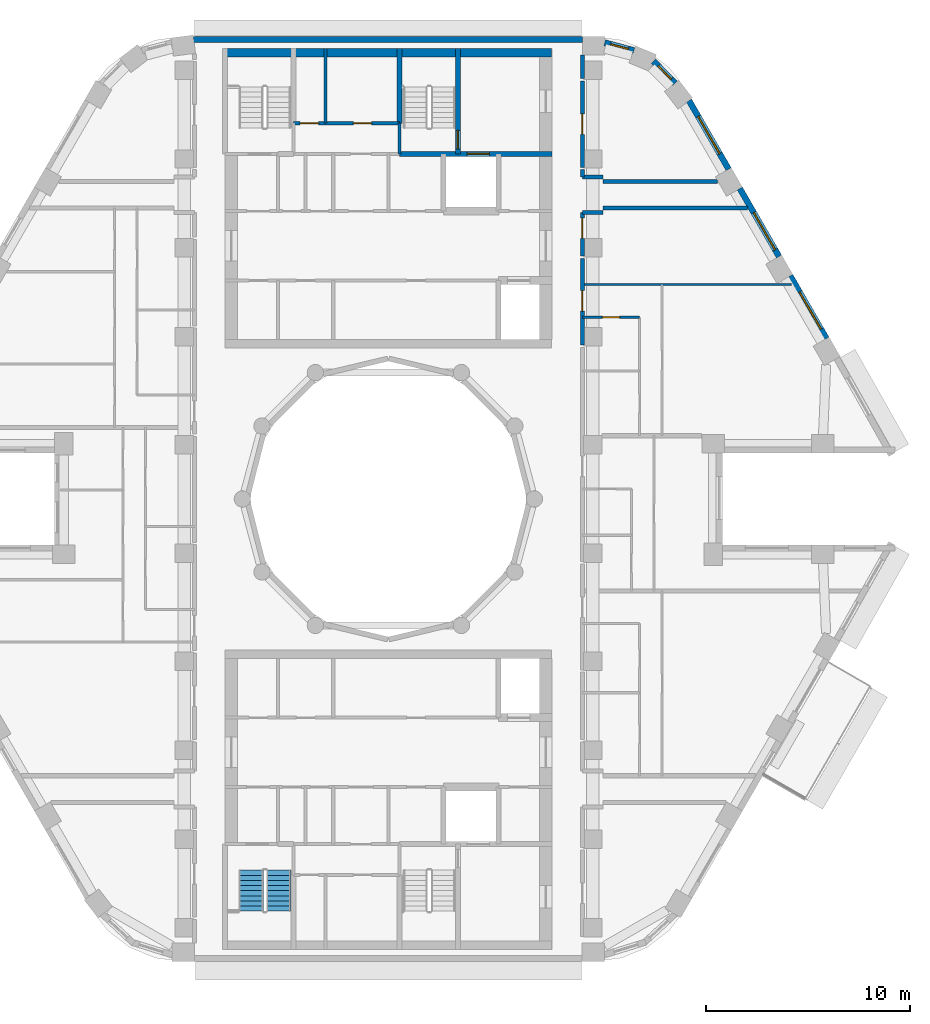
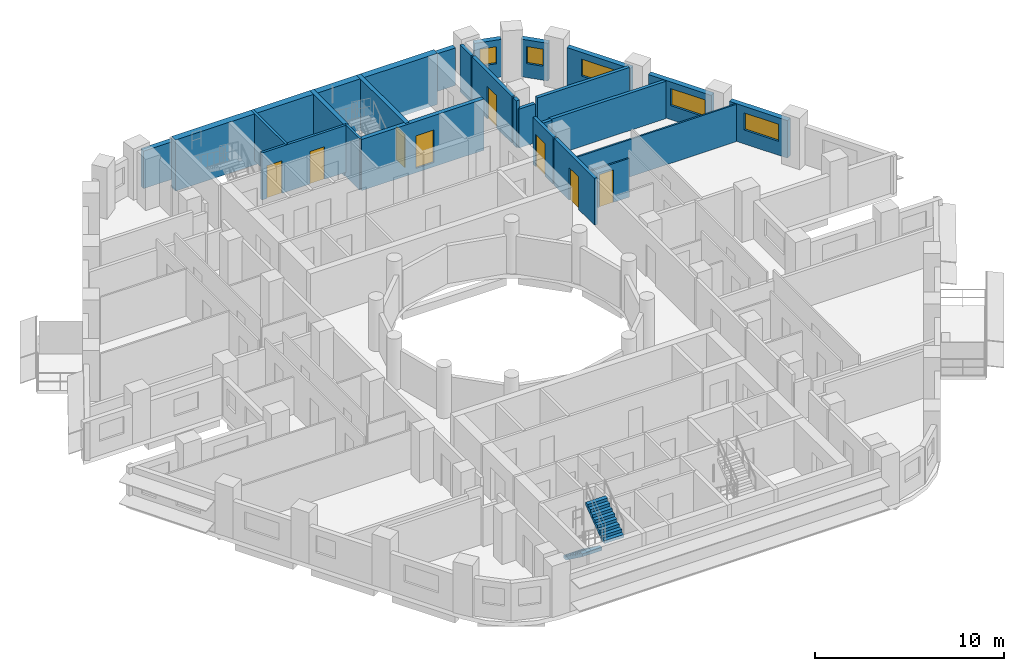
# One storey, part 8 of 14: 24 walls, 8 doors, 5 windows, 2 stair flights, 13 openings, 1 element without a shape of its own.
"""IFC4 building model written with IfcOpenShell, lengths in metres."""

from ifc_helpers import new_model, si_unit, direction, frame, frame_2d, origin, place, context, subcontext, project, spatial, polyline, rectangle, outline, extrude, material, layer, layer_set, type_object, element, fill, aggregate, save


model = new_model("IFC4")

# Units and contexts
model_context = context("Model", 3, precision=1e-05, world=origin(), true_north=direction((0.0, 1.0)))
body_context = subcontext(model_context, "Body", "Model", "MODEL_VIEW")
ifc_project = project(units=[si_unit("LENGTHUNIT", "METRE"), si_unit("AREAUNIT", "SQUARE_METRE"), si_unit("VOLUMEUNIT", "CUBIC_METRE"), si_unit("PLANEANGLEUNIT", "RADIAN"), si_unit("MASSUNIT", "GRAM", prefix="KILO")], contexts=[model_context])

# Site, building, storey
site_placement = place(None, origin())
site = spatial("IfcSite", under=ifc_project, at=site_placement, CompositionType="ELEMENT")
building_placement = place(site_placement, origin())
building = spatial("IfcBuilding", under=site, at=building_placement, Name="Nakaniwa Court", CompositionType="ELEMENT")
storey_placement = place(building_placement, frame((0.0, 0.0, 259.199951171875)))
storey = spatial("IfcBuildingStorey", under=building, at=storey_placement, Name="L68", CompositionType="ELEMENT", Elevation=259.199951171875)

# Wall, opening, door
ifc_material_1 = material(Name="Acoustic double stud partition")
ifc_layer_1 = layer(ifc_material_1, 0.199951171875)
ifc_layer_set_1 = layer_set([ifc_layer_1], Name="Acoustic double stud partition")
wall_type_1 = type_object("IfcWallType", Name="Acoustic double stud partition 200", PredefinedType="PARTITIONING", material=ifc_layer_set_1)
wall_1_placement = place(storey_placement, frame((89.5, 91.77294921875, 0.0), z_axis=(0.0, 0.0, 1.0), x_axis=(0.0, -1.0, 0.0)))
wall_1 = element("IfcWall", 1, at=wall_1_placement, inside=storey, type_object=wall_type_1, Name="Partition PW-063", PredefinedType="PARTITIONING", context=body_context, shape_type="SweptSolid", body=[
    extrude(rectangle(XDim=4.23583984375, YDim=0.199951171875, at=frame_2d((2.117919921875, 0.0))), origin(), (0.0, 0.0, 1.0), 3.025146484375),
])
opening_1_placement = place(wall_1_placement, frame((1.572998046875, 0.0, 0.0)))
opening_1 = element("IfcOpeningElement", 2, at=opening_1_placement, cuts=wall_1, Name="Opening D-01-03", PredefinedType="OPENING", context=body_context, shape_type="SweptSolid", body=[
    extrude(rectangle(XDim=1.0, YDim=2.10009765625, at=frame_2d((0.5, 1.050048828125))), frame((0.0, 0.10986328125, 0.0), z_axis=(0.0, -1.0, 0.0), x_axis=(1.0, 0.0, 0.0)), (0.0, 0.0, 1.0), 0.219970703125),
])
ifc_material_2 = material(Name="Solid core timber door set, black veneer", Category="wood")
door_type_1 = type_object("IfcDoorType", Name="Flat entrance door 1000", OperationType="NOTDEFINED", PredefinedType="DOOR", material=ifc_material_2)
door_1_placement = place(opening_1_placement, origin())
door_1 = element("IfcDoor", 3, at=door_1_placement, inside=storey, type_object=door_type_1, Name="Door D-01-03 L68-037", OperationType="SINGLE_SWING_RIGHT", OverallHeight=2.10009765625, OverallWidth=1.0, PredefinedType="DOOR", context=body_context, shape_type="SweptSolid", body=[
    extrude(rectangle(XDim=1.0, YDim=2.10009765625, at=frame_2d((0.5, 1.050048828125))), frame((0.0, 0.02490234375, 0.0), z_axis=(0.0, -1.0, 0.0), x_axis=(1.0, 0.0, 0.0)), (0.0, 0.0, 1.0), 0.050048828125),
])
fill(opening_1, door_1)

wall_2_placement = place(storey_placement, frame((89.5, 94.028076171875, 0.0), z_axis=(0.0, 0.0, 1.0), x_axis=(0.0, -1.0, 0.0)))
wall_2 = element("IfcWall", 4, at=wall_2_placement, inside=storey, type_object=wall_type_1, Name="Partition PW-064", PredefinedType="PARTITIONING", context=body_context, shape_type="SweptSolid", body=[
    extrude(rectangle(XDim=2.14111328125, YDim=0.199951171875, at=frame_2d((1.070556640625, 0.0))), origin(), (0.0, 0.0, 1.0), 3.025146484375),
])
opening_2_placement = place(wall_2_placement, frame((0.27001953125, 0.0, 0.0)))
opening_2 = element("IfcOpeningElement", 5, at=opening_2_placement, cuts=wall_2, Name="Opening D-02-04", PredefinedType="OPENING", context=body_context, shape_type="SweptSolid", body=[
    extrude(rectangle(XDim=1.0, YDim=2.10009765625, at=frame_2d((0.5, 1.050048828125))), frame((0.0, 0.10986328125, 0.0), z_axis=(0.0, -1.0, 0.0), x_axis=(1.0, 0.0, 0.0)), (0.0, 0.0, 1.0), 0.219970703125),
])
door_type_2 = type_object("IfcDoorType", Name="Internal door 1000", OperationType="NOTDEFINED", PredefinedType="DOOR", material=ifc_material_2)
door_2_placement = place(opening_2_placement, origin())
door_2 = element("IfcDoor", 6, at=door_2_placement, inside=storey, type_object=door_type_2, Name="Door D-02-04 L68-056", OperationType="SINGLE_SWING_LEFT", OverallHeight=2.10009765625, OverallWidth=1.0, PredefinedType="DOOR", context=body_context, shape_type="SweptSolid", body=[
    extrude(rectangle(XDim=1.0, YDim=2.10009765625, at=frame_2d((0.5, 1.050048828125))), frame((0.0, 0.02490234375, 0.0), z_axis=(0.0, -1.0, 0.0), x_axis=(1.0, 0.0, 0.0)), (0.0, 0.0, 1.0), 0.050048828125),
])
fill(opening_2, door_2)

# Wall
wall_3_placement = place(storey_placement, frame((89.5, 95.77197265625, 0.0), z_axis=(0.0, 0.0, 1.0), x_axis=(0.0, 1.0, 0.0)))
element("IfcWall", 7, at=wall_3_placement, inside=storey, type_object=wall_type_1, Name="Partition PW-065", PredefinedType="PARTITIONING", context=body_context, shape_type="SweptSolid", body=[
    extrude(rectangle(XDim=0.35107421875, YDim=0.199951171875, at=frame_2d((0.175537109375, 0.0))), origin(), (0.0, 0.0, 1.0), 3.025146484375),
])

# Wall, opening, door
wall_4_placement = place(storey_placement, frame((89.5, 100.472900390625, 0.0), z_axis=(0.0, 0.0, 1.0), x_axis=(0.0, -1.0, 0.0)))
wall_4 = element("IfcWall", 8, at=wall_4_placement, inside=storey, type_object=wall_type_1, Name="Partition PW-066", PredefinedType="PARTITIONING", context=body_context, shape_type="SweptSolid", body=[
    extrude(rectangle(XDim=4.23583984375, YDim=0.199951171875, at=frame_2d((2.117919921875, 0.0))), origin(), (0.0, 0.0, 1.0), 3.025146484375),
])
opening_3_placement = place(wall_4_placement, frame((1.617919921875, 0.0, 0.0)))
opening_3 = element("IfcOpeningElement", 9, at=opening_3_placement, cuts=wall_4, Name="Opening D-02-05", PredefinedType="OPENING", context=body_context, shape_type="SweptSolid", body=[
    extrude(rectangle(XDim=1.0, YDim=2.10009765625, at=frame_2d((0.5, 1.050048828125))), frame((0.0, 0.10986328125, 0.0), z_axis=(0.0, -1.0, 0.0), x_axis=(1.0, 0.0, 0.0)), (0.0, 0.0, 1.0), 0.219970703125),
])
door_3_placement = place(opening_3_placement, origin())
door_3 = element("IfcDoor", 10, at=door_3_placement, inside=storey, type_object=door_type_2, Name="Door D-02-05 L68-057", OperationType="SINGLE_SWING_RIGHT", OverallHeight=2.10009765625, OverallWidth=1.0, PredefinedType="DOOR", context=body_context, shape_type="SweptSolid", body=[
    extrude(rectangle(XDim=1.0, YDim=2.10009765625, at=frame_2d((0.5, 1.050048828125))), frame((0.0, 0.02490234375, 0.0), z_axis=(0.0, -1.0, 0.0), x_axis=(1.0, 0.0, 0.0)), (0.0, 0.0, 1.0), 0.050048828125),
])
fill(opening_3, door_3)

# Walls
wall_5_placement = place(storey_placement, frame((89.5, 100.5869140625, 0.0), z_axis=(0.0, 0.0, 1.0), x_axis=(0.0, 1.0, 0.0)))
element("IfcWall", 11, at=wall_5_placement, inside=storey, type_object=wall_type_1, Name="Partition PW-067", PredefinedType="PARTITIONING", context=body_context, shape_type="SweptSolid", body=[
    extrude(rectangle(XDim=1.14599609375, YDim=0.199951171875, at=frame_2d((0.572998046875, 0.0))), origin(), (0.0, 0.0, 1.0), 3.025146484375),
])
wall_6_placement = place(storey_placement, frame((90.5, 94.25, 0.0), z_axis=(0.0, 0.0, 1.0), x_axis=(1.0, 0.0, 0.0)))
element("IfcWall", 12, at=wall_6_placement, inside=storey, type_object=wall_type_1, Name="Partition PW-069", PredefinedType="PARTITIONING", context=body_context, shape_type="SweptSolid", body=[
    extrude(rectangle(XDim=7.080322265625, YDim=0.199951171875, at=frame_2d((3.5400390625, 0.0))), origin(), (0.0, 0.0, 1.0), 2.405029296875),
])
for number, where, z_axis, x_axis, name in (
    (13, (89.5, 94.02490234375, 0.0), (0.0, 0.0, 1.0), (1.0, 0.0, 0.0), "Partition PW-071"),
    (14, (89.5, 95.77490234375, 0.0), (0.0, 0.0, 1.0), (1.0, 0.0, 0.0), "Partition PW-073"),
):
    element("IfcWall", number, at=place(storey_placement, frame(where, z_axis=z_axis, x_axis=x_axis)), inside=storey, type_object=wall_type_1, Name=name, PredefinedType="PARTITIONING", context=body_context, shape_type="SweptSolid", body=[
        extrude(rectangle(XDim=1.0, YDim=0.199951171875, at=frame_2d((0.5, 0.0))), origin(), (0.0, 0.0, 1.0), 2.505126953125),
    ])
wall_7_placement = place(storey_placement, frame((90.5, 95.550048828125, 0.0), z_axis=(0.0, 0.0, 1.0), x_axis=(1.0, 0.0, 0.0)))
element("IfcWall", 15, at=wall_7_placement, inside=storey, type_object=wall_type_1, Name="Partition PW-075", PredefinedType="PARTITIONING", context=body_context, shape_type="SweptSolid", body=[
    extrude(rectangle(XDim=5.61669921875, YDim=0.199951171875, at=frame_2d((2.808349609375, 0.0))), origin(), (0.0, 0.0, 1.0), 3.025146484375),
])

# Wall, opening, window
ifc_material_3 = material(Name="Charcoal ceramic cladding")
ifc_layer_2 = layer(ifc_material_3, 0.02, Name="Ceramic cladding")
ifc_material_4 = material(Name="Ventilated air cavity")
ifc_layer_3 = layer(ifc_material_4, 0.04, ventilated=True, Name="Ventilated cavity")
ifc_material_5 = material(Name="Mineral wool insulation")
ifc_layer_4 = layer(ifc_material_5, 0.1, Name="Insulation")
ifc_material_6 = material(Name="Cement bonded sheathing board")
ifc_layer_5 = layer(ifc_material_6, 0.012, Name="Sheathing")
ifc_material_7 = material(Name="Cold-formed galvanised stud frame with mineral wool infill")
ifc_layer_6 = layer(ifc_material_7, 0.1, Name="Stud frame")
ifc_material_8 = material(Name="Fire-rated gypsum plasterboard lining")
ifc_layer_7 = layer(ifc_material_8, 0.028, Name="Lining")
ifc_layer_set_2 = layer_set([ifc_layer_2, ifc_layer_3, ifc_layer_4, ifc_layer_5, ifc_layer_6, ifc_layer_7], Name="Charcoal ceramic faced external wall system")
wall_type_2 = type_object("IfcWallType", Name="Black ceramic faced external wall 300", PredefinedType="SOLIDWALL", material=ifc_layer_set_2)
wall_8_placement = place(storey_placement, frame((101.44580078125, 87.85498046875, 0.0), z_axis=(0.0, 0.0, 1.0), x_axis=(-0.500010404316, 0.866019396766, 0.0)))
wall_8 = element("IfcWall", 16, at=wall_8_placement, inside=storey, type_object=wall_type_2, Name="L68 external wall 03", PredefinedType="SOLIDWALL", context=body_context, shape_type="SweptSolid", body=[
    extrude(rectangle(XDim=3.54736328125, YDim=0.300048828125, at=frame_2d((1.773681640625, 0.0))), origin(), (0.0, 0.0, 1.0), 2.425048828125),
])
opening_4_placement = place(wall_8_placement, frame((0.5380859375, 0.0, 0.89990234375)))
opening_4 = element("IfcOpeningElement", 17, at=opening_4_placement, cuts=wall_8, Name="Opening W7.02", PredefinedType="OPENING", context=body_context, shape_type="SweptSolid", body=[
    extrude(rectangle(XDim=2.10009765625, YDim=1.10009765625, at=frame_2d((1.050048828125, 0.550048828125))), frame((0.0, 0.159912109375, 0.0), z_axis=(0.0, -1.0, 0.0), x_axis=(1.0, 0.0, 0.0)), (0.0, 0.0, 1.0), 0.320068359375),
])
ifc_material_9 = material(Name="Black anodised aluminium frame with dark low-E laminated double glazing", Category="aluminium")
window_type_1 = type_object("IfcWindowType", Name="Dark glass window 2100x1100 sill 900", PartitioningType="SINGLE_PANEL", PredefinedType="WINDOW", material=ifc_material_9)
window_1_placement = place(opening_4_placement, origin())
window_1 = element("IfcWindow", 18, at=window_1_placement, inside=storey, type_object=window_type_1, Name="L68 living window 03-0", OverallHeight=1.10009765625, OverallWidth=2.10009765625, PartitioningType="SINGLE_PANEL", PredefinedType="WINDOW", context=body_context, shape_type="SweptSolid", body=[
    extrude(rectangle(XDim=2.10009765625, YDim=1.10009765625, at=frame_2d((1.050048828125, 0.550048828125))), frame((0.0, 0.030029296875, 0.0), z_axis=(0.0, -1.0, 0.0), x_axis=(1.0, 0.0, 0.0)), (0.0, 0.0, 1.0), 0.06005859375),
])
fill(opening_4, window_1)

wall_9_placement = place(storey_placement, frame((99.126220703125, 91.87255859375, 0.0), z_axis=(0.0, 0.0, 1.0), x_axis=(-0.499984490703, 0.866034357896, 0.0)))
wall_9 = element("IfcWall", 19, at=wall_9_placement, inside=storey, type_object=wall_type_2, Name="L68 external wall 04", PredefinedType="SOLIDWALL", context=body_context, shape_type="SweptSolid", body=[
    extrude(rectangle(XDim=3.84423828125, YDim=0.300048828125, at=frame_2d((1.922119140625, 0.0))), origin(), (0.0, 0.0, 1.0), 2.425048828125),
])
opening_5_placement = place(wall_9_placement, frame((0.3837890625, 0.0, 0.89990234375)))
opening_5 = element("IfcOpeningElement", 20, at=opening_5_placement, cuts=wall_9, Name="Opening W7.03", PredefinedType="OPENING", context=body_context, shape_type="SweptSolid", body=[
    extrude(rectangle(XDim=2.10009765625, YDim=1.10009765625, at=frame_2d((1.050048828125, 0.550048828125))), frame((0.0, 0.159912109375, 0.0), z_axis=(0.0, -1.0, 0.0), x_axis=(1.0, 0.0, 0.0)), (0.0, 0.0, 1.0), 0.320068359375),
])
window_2_placement = place(opening_5_placement, origin())
window_2 = element("IfcWindow", 21, at=window_2_placement, inside=storey, type_object=window_type_1, Name="L68 habitable room window 04-0", OverallHeight=1.10009765625, OverallWidth=2.10009765625, PartitioningType="SINGLE_PANEL", PredefinedType="WINDOW", context=body_context, shape_type="SweptSolid", body=[
    extrude(rectangle(XDim=2.10009765625, YDim=1.10009765625, at=frame_2d((1.050048828125, 0.550048828125))), frame((0.0, 0.030029296875, 0.0), z_axis=(0.0, -1.0, 0.0), x_axis=(1.0, 0.0, 0.0)), (0.0, 0.0, 1.0), 0.06005859375),
])
fill(opening_5, window_2)

wall_10_placement = place(storey_placement, frame((96.657958984375, 96.1474609375, 0.0), z_axis=(0.0, 0.0, 1.0), x_axis=(-0.500011218404, 0.866018926739, 0.0)))
wall_10 = element("IfcWall", 22, at=wall_10_placement, inside=storey, type_object=wall_type_2, Name="L68 external wall 05", PredefinedType="SOLIDWALL", context=body_context, shape_type="SweptSolid", body=[
    extrude(rectangle(XDim=3.87890625, YDim=0.300048828125, at=frame_2d((1.939453125, 0.0))), origin(), (0.0, 0.0, 1.0), 2.425048828125),
])
opening_6_placement = place(wall_10_placement, frame((0.878173828125, 0.0, 0.89990234375)))
opening_6 = element("IfcOpeningElement", 23, at=opening_6_placement, cuts=wall_10, Name="Opening W7.04", PredefinedType="OPENING", context=body_context, shape_type="SweptSolid", body=[
    extrude(rectangle(XDim=2.10009765625, YDim=1.10009765625, at=frame_2d((1.050048828125, 0.550048828125))), frame((0.0, 0.159912109375, 0.0), z_axis=(0.0, -1.0, 0.0), x_axis=(1.0, 0.0, 0.0)), (0.0, 0.0, 1.0), 0.320068359375),
])
window_3_placement = place(opening_6_placement, origin())
window_3 = element("IfcWindow", 24, at=window_3_placement, inside=storey, type_object=window_type_1, Name="L68 habitable room window 05-0", OverallHeight=1.10009765625, OverallWidth=2.10009765625, PartitioningType="SINGLE_PANEL", PredefinedType="WINDOW", context=body_context, shape_type="SweptSolid", body=[
    extrude(rectangle(XDim=2.10009765625, YDim=1.10009765625, at=frame_2d((1.050048828125, 0.550048828125))), frame((0.0, 0.030029296875, 0.0), z_axis=(0.0, -1.0, 0.0), x_axis=(1.0, 0.0, 0.0)), (0.0, 0.0, 1.0), 0.06005859375),
])
fill(opening_6, window_3)

wall_11_placement = place(storey_placement, frame((94.0341796875, 100.3583984375, 0.0), z_axis=(0.0, 0.0, 1.0), x_axis=(-0.698675602211, 0.71543860874, 0.0)))
wall_11 = element("IfcWall", 25, at=wall_11_placement, inside=storey, type_object=wall_type_2, Name="L68 external wall 06", PredefinedType="SOLIDWALL", context=body_context, shape_type="SweptSolid", body=[
    extrude(rectangle(XDim=1.5, YDim=0.300048828125, at=frame_2d((0.75, 0.0))), origin(), (0.0, 0.0, 1.0), 2.425048828125),
])
opening_7_placement = place(wall_11_placement, frame((0.27587890625, 0.0, 0.89990234375)))
opening_7 = element("IfcOpeningElement", 26, at=opening_7_placement, cuts=wall_11, Name="Opening W9.05", PredefinedType="OPENING", context=body_context, shape_type="SweptSolid", body=[
    extrude(rectangle(XDim=0.89990234375, YDim=1.10009765625, at=frame_2d((0.449951171875, 0.550048828125))), frame((0.0, 0.159912109375, 0.0), z_axis=(0.0, -1.0, 0.0), x_axis=(1.0, 0.0, 0.0)), (0.0, 0.0, 1.0), 0.320068359375),
])
window_type_2 = type_object("IfcWindowType", Name="Dark glass window 900x1100 sill 900", PartitioningType="SINGLE_PANEL", PredefinedType="WINDOW", material=ifc_material_9)
window_4_placement = place(opening_7_placement, origin())
window_4 = element("IfcWindow", 27, at=window_4_placement, inside=storey, type_object=window_type_2, Name="L68 habitable room window 06-0", OverallHeight=1.10009765625, OverallWidth=0.89990234375, PartitioningType="SINGLE_PANEL", PredefinedType="WINDOW", context=body_context, shape_type="SweptSolid", body=[
    extrude(rectangle(XDim=0.89990234375, YDim=1.10009765625, at=frame_2d((0.449951171875, 0.550048828125))), frame((0.0, 0.030029296875, 0.0), z_axis=(0.0, -1.0, 0.0), x_axis=(1.0, 0.0, 0.0)), (0.0, 0.0, 1.0), 0.06005859375),
])
fill(opening_7, window_4)

wall_12_placement = place(storey_placement, frame((92.02099609375, 101.956298828125, 0.0), z_axis=(0.0, 0.0, 1.0), x_axis=(-0.965392564919, 0.260801065181, 0.0)))
wall_12 = element("IfcWall", 28, at=wall_12_placement, inside=storey, type_object=wall_type_2, Name="L68 external wall 07", PredefinedType="SOLIDWALL", context=body_context, shape_type="SweptSolid", body=[
    extrude(rectangle(XDim=1.48095703125, YDim=0.300048828125, at=frame_2d((0.740478515625, 0.0))), origin(), (0.0, 0.0, 1.0), 2.425048828125),
])
opening_8_placement = place(wall_12_placement, frame((0.280029296875, 0.0, 0.89990234375)))
opening_8 = element("IfcOpeningElement", 29, at=opening_8_placement, cuts=wall_12, Name="Opening W9.06", PredefinedType="OPENING", context=body_context, shape_type="SweptSolid", body=[
    extrude(rectangle(XDim=0.89990234375, YDim=1.10009765625, at=frame_2d((0.449951171875, 0.550048828125))), frame((0.0, 0.159912109375, 0.0), z_axis=(0.0, -1.0, 0.0), x_axis=(1.0, 0.0, 0.0)), (0.0, 0.0, 1.0), 0.320068359375),
])
window_5_placement = place(opening_8_placement, origin())
window_5 = element("IfcWindow", 30, at=window_5_placement, inside=storey, type_object=window_type_2, Name="L68 habitable room window 07-0", OverallHeight=1.10009765625, OverallWidth=0.89990234375, PartitioningType="SINGLE_PANEL", PredefinedType="WINDOW", context=body_context, shape_type="SweptSolid", body=[
    extrude(rectangle(XDim=0.89990234375, YDim=1.10009765625, at=frame_2d((0.449951171875, 0.550048828125))), frame((0.0, 0.030029296875, 0.0), z_axis=(0.0, -1.0, 0.0), x_axis=(1.0, 0.0, 0.0)), (0.0, 0.0, 1.0), 0.06005859375),
])
fill(opening_8, window_5)

# Wall
wall_13_placement = place(storey_placement, frame((89.499267578125, 102.5, 0.0), z_axis=(0.0, 0.0, 1.0), x_axis=(-1.0, 0.0, 0.0)))
element("IfcWall", 31, at=wall_13_placement, inside=storey, type_object=wall_type_2, Name="L68 external wall 08", PredefinedType="SOLIDWALL", context=body_context, shape_type="SweptSolid", body=[
    extrude(rectangle(XDim=19.033447265625, YDim=0.300048828125, at=frame_2d((9.5166015625, 0.0))), origin(), (0.0, 0.0, 1.0), 2.425048828125),
])

# Wall, openings, doors
ifc_material_10 = material(Name="Blockwork partition", Category="masonry")
ifc_layer_8 = layer(ifc_material_10, 0.14990234375)
ifc_layer_set_3 = layer_set([ifc_layer_8], Name="Blockwork partition")
wall_type_3 = type_object("IfcWallType", Name="Blockwork partition 150", PredefinedType="PARTITIONING", material=ifc_layer_set_3)
wall_14_placement = place(storey_placement, frame((75.35009765625, 98.39990234375, 0.0), z_axis=(0.0, 0.0, 1.0), x_axis=(1.0, 0.0, 0.0)))
wall_14 = element("IfcWall", 32, at=wall_14_placement, inside=storey, type_object=wall_type_3, Name="Partition PW-027", PredefinedType="PARTITIONING", context=body_context, shape_type="SweptSolid", body=[
    extrude(rectangle(XDim=5.199951171875, YDim=0.14990234375, at=frame_2d((2.60009765625, 0.0))), origin(), (0.0, 0.0, 1.0), 3.025146484375),
])
opening_9_placement = place(wall_14_placement, frame((0.330078125, 0.0, 0.0)))
opening_9 = element("IfcOpeningElement", 33, at=opening_9_placement, cuts=wall_14, Name="Opening D-05-08", PredefinedType="OPENING", context=body_context, shape_type="SweptSolid", body=[
    extrude(rectangle(XDim=0.89990234375, YDim=2.10009765625, at=frame_2d((0.449951171875, 1.050048828125))), frame((0.0, 0.0849609375, 0.0), z_axis=(0.0, -1.0, 0.0), x_axis=(1.0, 0.0, 0.0)), (0.0, 0.0, 1.0), 0.169921875),
])
opening_10_placement = place(wall_14_placement, frame((2.929931640625, 0.0, 0.0)))
opening_10 = element("IfcOpeningElement", 34, at=opening_10_placement, cuts=wall_14, Name="Opening D-05-09", PredefinedType="OPENING", context=body_context, shape_type="SweptSolid", body=[
    extrude(rectangle(XDim=0.89990234375, YDim=2.10009765625, at=frame_2d((0.449951171875, 1.050048828125))), frame((0.0, 0.0849609375, 0.0), z_axis=(0.0, -1.0, 0.0), x_axis=(1.0, 0.0, 0.0)), (0.0, 0.0, 1.0), 0.169921875),
])
ifc_material_11 = material(Name="Fire rated steel door set", Category="steel")
door_type_3 = type_object("IfcDoorType", Name="Service room door 900", OperationType="NOTDEFINED", PredefinedType="DOOR", material=ifc_material_11)
door_4_placement = place(opening_9_placement, origin())
door_4 = element("IfcDoor", 35, at=door_4_placement, inside=storey, type_object=door_type_3, Name="Door D-05-08 L68-011", OperationType="SINGLE_SWING_RIGHT", OverallHeight=2.10009765625, OverallWidth=0.89990234375, PredefinedType="DOOR", context=body_context, shape_type="SweptSolid", body=[
    extrude(rectangle(XDim=0.89990234375, YDim=2.10009765625, at=frame_2d((0.449951171875, 1.050048828125))), frame((0.0, 0.02490234375, 0.0), z_axis=(0.0, -1.0, 0.0), x_axis=(1.0, 0.0, 0.0)), (0.0, 0.0, 1.0), 0.050048828125),
])
fill(opening_9, door_4)
door_5_placement = place(opening_10_placement, origin())
door_5 = element("IfcDoor", 36, at=door_5_placement, inside=storey, type_object=door_type_3, Name="Door D-05-09 L68-012", OperationType="SINGLE_SWING_LEFT", OverallHeight=2.10009765625, OverallWidth=0.89990234375, PredefinedType="DOOR", context=body_context, shape_type="SweptSolid", body=[
    extrude(rectangle(XDim=0.89990234375, YDim=2.10009765625, at=frame_2d((0.449951171875, 1.050048828125))), frame((0.0, 0.02490234375, 0.0), z_axis=(0.0, -1.0, 0.0), x_axis=(1.0, 0.0, 0.0)), (0.0, 0.0, 1.0), 0.050048828125),
])
fill(opening_10, door_5)

# Walls
wall_15_placement = place(storey_placement, frame((76.909912109375, 98.39990234375, 0.0), z_axis=(0.0, 0.0, 1.0), x_axis=(0.0, 1.0, 0.0)))
element("IfcWall", 37, at=wall_15_placement, inside=storey, type_object=wall_type_3, Name="Partition PW-028", PredefinedType="PARTITIONING", context=body_context, shape_type="SweptSolid", body=[
    extrude(rectangle(XDim=3.650146484375, YDim=0.14990234375, at=frame_2d((1.8251953125, 0.0))), origin(), (0.0, 0.0, 1.0), 3.025146484375),
])
ifc_material_12 = material(Name="Concrete C80/100", Category="concrete")
ifc_layer_9 = layer(ifc_material_12, 0.14990234375)
ifc_layer_set_4 = layer_set([ifc_layer_9], Name="Concrete C80/100")
wall_type_4 = type_object("IfcWallType", Name="Concrete core wall 150 C80", PredefinedType="SHEAR", material=ifc_layer_set_4)
wall_16_placement = place(storey_placement, frame((80.550048828125, 96.89990234375, -0.27490234375), z_axis=(0.0, 0.0, 1.0), x_axis=(0.0, 1.0, 0.0)))
element("IfcWall", 38, at=wall_16_placement, inside=storey, type_object=wall_type_4, Name="Core wall SW-25", PredefinedType="SHEAR", context=body_context, shape_type="SweptSolid", body=[
    extrude(rectangle(XDim=1.503173828125, YDim=0.14990234375, at=frame_2d((0.75146484375, 0.0))), origin(), (0.0, 0.0, 1.0), 3.300048828125),
])
ifc_layer_10 = layer(ifc_material_12, 0.39990234375)
ifc_layer_set_5 = layer_set([ifc_layer_10], Name="Concrete C80/100")
wall_type_5 = type_object("IfcWallType", Name="Concrete core wall 400 C80", PredefinedType="SHEAR", material=ifc_layer_set_5)
wall_17_placement = place(storey_placement, frame((72.00390625, 101.85009765625, -0.27490234375), z_axis=(0.0, 0.0, 1.0), x_axis=(1.0, 0.0, 0.0)))
element("IfcWall", 39, at=wall_17_placement, inside=storey, type_object=wall_type_5, Name="Core wall SW-127", PredefinedType="SHEAR", context=body_context, shape_type="SweptSolid", body=[
    extrude(rectangle(XDim=15.9921875, YDim=0.39990234375, at=frame_2d((7.99609375, 0.0))), origin(), (0.0, 0.0, 1.0), 3.300048828125),
])

# Wall, opening, door
ifc_layer_11 = layer(ifc_material_12, 0.25)
ifc_layer_set_6 = layer_set([ifc_layer_11], Name="Concrete C80/100")
wall_type_6 = type_object("IfcWallType", Name="Concrete shaft wall 250 C80", PredefinedType="SHEAR", material=ifc_layer_set_6)
wall_18_placement = place(storey_placement, frame((80.547119140625, 96.89990234375, -0.27490234375), z_axis=(0.0, 0.0, 1.0), x_axis=(1.0, 0.0, 0.0)))
wall_18 = element("IfcWall", 40, at=wall_18_placement, inside=storey, type_object=wall_type_6, Name="Core wall SW-17", PredefinedType="SHEAR", context=body_context, shape_type="SweptSolid", body=[
    extrude(rectangle(XDim=7.452880859375, YDim=0.25, at=frame_2d((3.7265625, 0.0))), origin(), (0.0, 0.0, 1.0), 3.300048828125),
])
opening_11_placement = place(wall_18_placement, frame((3.302001953125, 0.0, 0.27490234375)))
opening_11 = element("IfcOpeningElement", 41, at=opening_11_placement, cuts=wall_18, Name="Opening LD02", PredefinedType="OPENING", context=body_context, shape_type="SweptSolid", body=[
    extrude(rectangle(XDim=1.10009765625, YDim=2.10009765625, at=frame_2d((0.550048828125, 1.050048828125))), frame((0.0, 0.135009765625, 0.0), z_axis=(0.0, -1.0, 0.0), x_axis=(1.0, 0.0, 0.0)), (0.0, 0.0, 1.0), 0.27001953125),
])
ifc_material_13 = material(Name="Stainless steel sliding lift landing door", Category="steel")
door_type_4 = type_object("IfcDoorType", Name="Lift landing door 1100", OperationType="NOTDEFINED", PredefinedType="DOOR", material=ifc_material_13)
door_6_placement = place(opening_11_placement, origin())
door_6 = element("IfcDoor", 42, at=door_6_placement, inside=storey, type_object=door_type_4, Name="Lift landing door LD02 L68-002", OperationType="SLIDING_TO_LEFT", OverallHeight=2.10009765625, OverallWidth=1.10009765625, PredefinedType="DOOR", context=body_context, shape_type="SweptSolid", body=[
    extrude(rectangle(XDim=1.10009765625, YDim=2.10009765625, at=frame_2d((0.550048828125, 1.050048828125))), frame((0.0, 0.02490234375, 0.0), z_axis=(0.0, -1.0, 0.0), x_axis=(1.0, 0.0, 0.0)), (0.0, 0.0, 1.0), 0.050048828125),
])
fill(opening_11, door_6)

wall_19_placement = place(storey_placement, frame((83.39990234375, 102.050048828125, -0.27490234375), z_axis=(0.0, 0.0, 1.0), x_axis=(0.0, -1.0, 0.0)))
wall_19 = element("IfcWall", 43, at=wall_19_placement, inside=storey, type_object=wall_type_6, Name="Core wall SW-24", PredefinedType="SHEAR", context=body_context, shape_type="SweptSolid", body=[
    extrude(rectangle(XDim=5.150146484375, YDim=0.25, at=frame_2d((2.5751953125, 0.0))), origin(), (0.0, 0.0, 1.0), 3.300048828125),
])
opening_12_placement = place(wall_19_placement, frame((4.0, 0.0, 0.27490234375)))
opening_12 = element("IfcOpeningElement", 44, at=opening_12_placement, cuts=wall_19, Name="Opening D-11-01", PredefinedType="OPENING", context=body_context, shape_type="SweptSolid", body=[
    extrude(rectangle(XDim=0.89990234375, YDim=2.10009765625, at=frame_2d((0.449951171875, 1.050048828125))), frame((0.0, 0.135009765625, 0.0), z_axis=(0.0, -1.0, 0.0), x_axis=(1.0, 0.0, 0.0)), (0.0, 0.0, 1.0), 0.27001953125),
])
door_type_5 = type_object("IfcDoorType", Name="Stair door 900", OperationType="NOTDEFINED", PredefinedType="DOOR", material=ifc_material_11)
door_7_placement = place(opening_12_placement, origin())
door_7 = element("IfcDoor", 45, at=door_7_placement, inside=storey, type_object=door_type_5, Name="Door D-11-01 L68-014", OperationType="SINGLE_SWING_RIGHT", OverallHeight=2.10009765625, OverallWidth=0.89990234375, PredefinedType="DOOR", context=body_context, shape_type="SweptSolid", body=[
    extrude(rectangle(XDim=0.89990234375, YDim=2.10009765625, at=frame_2d((0.449951171875, 1.050048828125))), frame((0.0, 0.02490234375, 0.0), z_axis=(0.0, -1.0, 0.0), x_axis=(1.0, 0.0, 0.0)), (0.0, 0.0, 1.0), 0.050048828125),
])
fill(opening_12, door_7)

# Wall
wall_20_placement = place(storey_placement, frame((80.550048828125, 98.39697265625, -0.27490234375), z_axis=(0.0, 0.0, 1.0), x_axis=(0.0, 1.0, 0.0)))
element("IfcWall", 46, at=wall_20_placement, inside=storey, type_object=wall_type_6, Name="Core wall SW-26", PredefinedType="SHEAR", context=body_context, shape_type="SweptSolid", body=[
    extrude(rectangle(XDim=3.653076171875, YDim=0.25, at=frame_2d((1.82666015625, 0.0))), origin(), (0.0, 0.0, 1.0), 3.300048828125),
])

# Wall, opening, door
ifc_material_14 = material(Name="Single stud plasterboard partition")
ifc_layer_12 = layer(ifc_material_14, 0.10009765625)
ifc_layer_set_7 = layer_set([ifc_layer_12], Name="Single stud plasterboard partition")
wall_type_7 = type_object("IfcWallType", Name="Single stud plasterboard partition 100", PredefinedType="PARTITIONING", material=ifc_layer_set_7)
wall_21_placement = place(storey_placement, frame((92.300048828125, 88.89990234375, 0.0), z_axis=(0.0, 0.0, 1.0), x_axis=(-1.0, 0.0, 0.0)))
wall_21 = element("IfcWall", 47, at=wall_21_placement, inside=storey, type_object=wall_type_7, Name="Partition PW-110", PredefinedType="PARTITIONING", context=body_context, shape_type="SweptSolid", body=[
    extrude(rectangle(XDim=2.800048828125, YDim=0.10009765625, at=frame_2d((1.39990234375, 0.0))), origin(), (0.0, 0.0, 1.0), 2.505126953125),
])
opening_13_placement = place(wall_21_placement, frame((0.97509765625, 0.0, 0.0)))
opening_13 = element("IfcOpeningElement", 48, at=opening_13_placement, cuts=wall_21, Name="Opening D-03-03", PredefinedType="OPENING", context=body_context, shape_type="SweptSolid", body=[
    extrude(rectangle(XDim=0.85009765625, YDim=2.10009765625, at=frame_2d((0.425048828125, 1.050048828125))), frame((0.0, 0.06005859375, 0.0), z_axis=(0.0, -1.0, 0.0), x_axis=(1.0, 0.0, 0.0)), (0.0, 0.0, 1.0), 0.1201171875),
])
ifc_material_15 = material(Name="Moisture sealed timber door set", Category="wood")
door_type_6 = type_object("IfcDoorType", Name="Bathroom door 850", OperationType="NOTDEFINED", PredefinedType="DOOR", material=ifc_material_15)
door_8_placement = place(opening_13_placement, origin())
door_8 = element("IfcDoor", 49, at=door_8_placement, inside=storey, type_object=door_type_6, Name="Door D-03-03 L68-039", OperationType="SINGLE_SWING_RIGHT", OverallHeight=2.10009765625, OverallWidth=0.85009765625, PredefinedType="DOOR", context=body_context, shape_type="SweptSolid", body=[
    extrude(rectangle(XDim=0.85009765625, YDim=2.10009765625, at=frame_2d((0.425048828125, 1.050048828125))), frame((0.0, 0.02490234375, 0.0), z_axis=(0.0, -1.0, 0.0), x_axis=(1.0, 0.0, 0.0)), (0.0, 0.0, 1.0), 0.050048828125),
])
fill(opening_13, door_8)

# Wall
wall_22_placement = place(storey_placement, frame((89.5, 90.5, 0.0), z_axis=(0.0, 0.0, 1.0), x_axis=(1.0, 0.0, 0.0)))
element("IfcWall", 50, at=wall_22_placement, inside=storey, type_object=wall_type_7, Name="Partition PW-111", PredefinedType="PARTITIONING", context=body_context, shape_type="SweptSolid", body=[
    extrude(rectangle(XDim=10.245361328125, YDim=0.10009765625, at=frame_2d((5.12255859375, 0.0))), origin(), (0.0, 0.0, 1.0), 2.405029296875),
])

# Stair, stair flights
stair_type = type_object("IfcStairType", Name="Dog leg stair 1200 wide 18 risers", PredefinedType="HALF_TURN_STAIR", material=ifc_material_12)
stair_placement = place(storey_placement, origin())
stair = element("IfcStair", 51, at=stair_placement, inside=storey, type_object=stair_type, Name="L68 Stair ST3", PredefinedType="HALF_TURN_STAIR")
stair_flight_type = type_object("IfcStairFlightType", Name="Stair flight 1200 wide 9 risers", PredefinedType="STRAIGHT", material=ifc_material_12)
stair_flight_1_placement = place(storey_placement, frame((73.27490234375, 61.824951171875, 0.0), z_axis=(0.0, 0.0, 1.0), x_axis=(0.0, -1.0, 0.0)))
stair_flight_1 = element("IfcStairFlight", 52, at=stair_flight_1_placement, type_object=stair_flight_type, Name="ST3 flight 1", NumberOfRisers=9, NumberOfTreads=8, PredefinedType="STRAIGHT", RiserHeight=0.183333333, TreadLength=0.25, context=body_context, shape_type="SweptSolid", body=[
    extrude(outline(polyline([(0.0, 0.0), (0.0, 0.026123046875), (0.0, 0.052490234375), (0.0, 0.07861328125), (0.0, 0.104736328125), (0.0, 0.130859375), (0.0, 0.1572265625), (0.0, 0.183349609375), (0.25, 0.183349609375), (0.25, 0.36669921875), (0.5, 0.36669921875), (0.5, 0.550048828125), (0.75, 0.550048828125), (0.75, 0.7333984375), (1.0, 0.7333984375), (1.0, 0.916748046875), (1.25, 0.916748046875), (1.25, 1.10009765625), (1.5, 1.10009765625), (1.5, 1.283447265625), (1.75, 1.283447265625), (1.75, 1.466552734375), (2.0, 1.466552734375), (2.0, 1.64990234375), (2.0, 1.59716796875), (2.0, 1.54443359375), (2.0, 1.49169921875), (2.0, 1.43896484375), (2.0, 1.38623046875), (2.0, 1.33349609375), (2.0, 1.28076171875), (0.25341796875, 0.0), (0.0, 0.0)])), frame((0.0, 0.60009765625, 0.0), z_axis=(0.0, -1.0, 0.0), x_axis=(1.0, 0.0, 0.0)), (0.0, 0.0, 1.0), 1.199951171875),
])
stair_flight_2_placement = place(storey_placement, frame((74.625, 59.824951171875, 1.650146484375), z_axis=(0.0, 0.0, 1.0), x_axis=(0.0, 1.0, 0.0)))
stair_flight_2 = element("IfcStairFlight", 53, at=stair_flight_2_placement, type_object=stair_flight_type, Name="ST3 flight 2", NumberOfRisers=9, NumberOfTreads=8, PredefinedType="STRAIGHT", RiserHeight=0.183333333, TreadLength=0.25, context=body_context, shape_type="SweptSolid", body=[
    extrude(outline(polyline([(0.0, 0.0), (0.0, 0.026123046875), (0.0, 0.052490234375), (0.0, 0.07861328125), (0.0, 0.104736328125), (0.0, 0.130859375), (0.0, 0.1572265625), (0.0, 0.183349609375), (0.25, 0.183349609375), (0.25, 0.36669921875), (0.5, 0.36669921875), (0.5, 0.550048828125), (0.75, 0.550048828125), (0.75, 0.7333984375), (1.0, 0.7333984375), (1.0, 0.916748046875), (1.25, 0.916748046875), (1.25, 1.10009765625), (1.5, 1.10009765625), (1.5, 1.283447265625), (1.75, 1.283447265625), (1.75, 1.466552734375), (2.0, 1.466552734375), (2.0, 1.64990234375), (2.0, 1.59716796875), (2.0, 1.54443359375), (2.0, 1.49169921875), (2.0, 1.43896484375), (2.0, 1.38623046875), (2.0, 1.33349609375), (2.0, 1.28076171875), (0.25341796875, 0.0), (0.0, 0.0)])), frame((0.0, 0.60009765625, 0.0), z_axis=(0.0, -1.0, 0.0), x_axis=(1.0, 0.0, 0.0)), (0.0, 0.0, 1.0), 1.199951171875),
])
aggregate(stair, [stair_flight_1, stair_flight_2])

save(model, "model.ifc")
